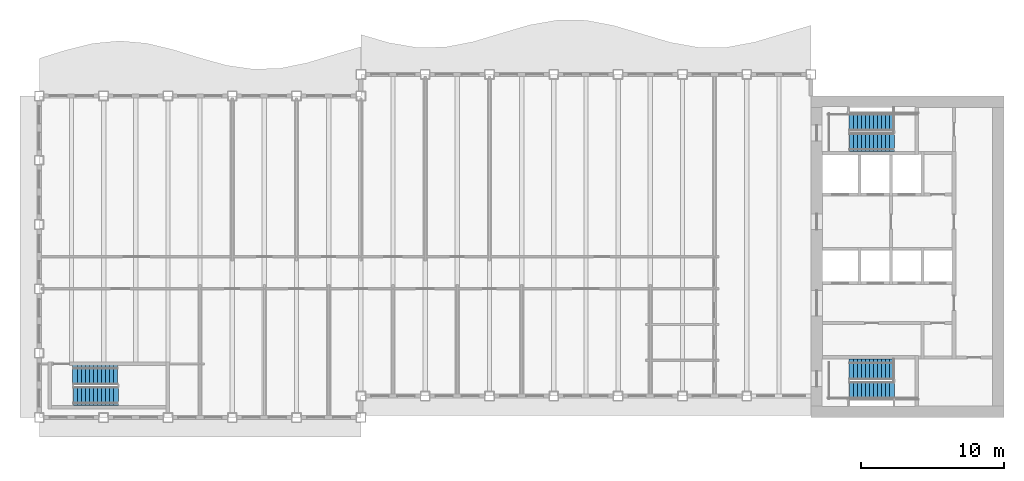
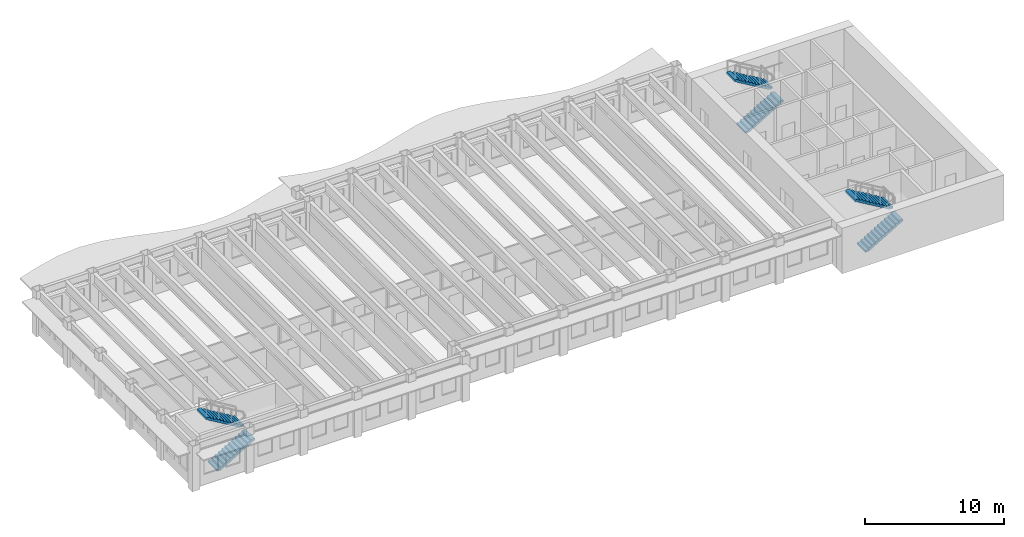
# One storey, part 7 of 12: 6 stair flights, 3 elements without a shape of their own.
"""IFC4 building model written with IfcOpenShell, lengths in metres."""

from ifc_helpers import new_model, si_unit, direction, frame, origin, place, context, subcontext, project, spatial, polyline, outline, extrude, material, type_object, element, aggregate, save


model = new_model("IFC4")

# Units and contexts
model_context = context("Model", 3, precision=1e-05, world=origin(), true_north=direction((0.0, 1.0)))
body_context = subcontext(model_context, "Body", "Model", "MODEL_VIEW")
ifc_project = project(units=[si_unit("LENGTHUNIT", "METRE"), si_unit("AREAUNIT", "SQUARE_METRE"), si_unit("VOLUMEUNIT", "CUBIC_METRE"), si_unit("PLANEANGLEUNIT", "RADIAN"), si_unit("MASSUNIT", "GRAM", prefix="KILO")], contexts=[model_context])

# Site, building, storey
site_placement = place(None, origin())
site = spatial("IfcSite", under=ifc_project, at=site_placement, CompositionType="ELEMENT")
building_placement = place(site_placement, origin())
building = spatial("IfcBuilding", under=site, at=building_placement, Name="Sennacour Bend Tower", CompositionType="ELEMENT")
storey_placement = place(building_placement, frame((0.0, 0.0, 289.0)))
storey = spatial("IfcBuildingStorey", under=building, at=storey_placement, Name="L67", CompositionType="ELEMENT", Elevation=289.0)

# Stair, stair flights
ifc_material = material(Name="Concrete C40/50", Category="concrete")
stair_type = type_object("IfcStairType", Name="ST-DOGLEG", PredefinedType="HALF_TURN_STAIR", material=ifc_material)
stair_1_placement = place(storey_placement, origin())
stair_1 = element("IfcStair", 1, at=stair_1_placement, inside=storey, type_object=stair_type, Name="L67 Exit stair A1", PredefinedType="HALF_TURN_STAIR")
stair_flight_type = type_object("IfcStairFlightType", Name="SFL-RC", PredefinedType="STRAIGHT", material=ifc_material)
stair_flight_1_placement = place(storey_placement, frame((56.699951171875, 1.89990234375, 0.0), z_axis=(0.0, 0.0, 1.0), x_axis=(1.0, 0.0, 0.0)))
stair_flight_1 = element("IfcStairFlight", 2, at=stair_flight_1_placement, type_object=stair_flight_type, Name="SA1 flight 1", NumberOfRisers=12, NumberOfTreads=11, PredefinedType="STRAIGHT", RiserHeight=0.166666667, TreadLength=0.28, context=body_context, shape_type="SweptSolid", body=[
    extrude(outline(polyline([(0.0, 0.0), (0.0, 0.166748046875), (0.280029296875, 0.166748046875), (0.280029296875, 0.333251953125), (0.56005859375, 0.333251953125), (0.56005859375, 0.5), (0.840087890625, 0.5), (0.840087890625, 0.666748046875), (1.1201171875, 0.666748046875), (1.1201171875, 0.833251953125), (1.39990234375, 0.833251953125), (1.39990234375, 1.0), (1.679931640625, 1.0), (1.679931640625, 1.166748046875), (1.9599609375, 1.166748046875), (1.9599609375, 1.333251953125), (2.239990234375, 1.333251953125), (2.239990234375, 1.5), (2.52001953125, 1.5), (2.52001953125, 1.666748046875), (2.800048828125, 1.666748046875), (2.800048828125, 1.833251953125), (3.080078125, 1.833251953125), (3.139892578125, 1.833251953125), (3.139892578125, 1.658935546875), (3.080078125, 1.658935546875), (0.29296875, 0.0), (0.0, 0.0)])), frame((0.0, 0.60009765625, 0.0), z_axis=(0.0, -1.0, 0.0), x_axis=(1.0, 0.0, 0.0)), (0.0, 0.0, 1.0), 1.199951171875),
])
stair_flight_2_placement = place(storey_placement, frame((59.780029296875, 3.37744140625, 2.0), z_axis=(0.0, 0.0, 1.0), x_axis=(-1.0, 0.0, 0.0)))
stair_flight_2 = element("IfcStairFlight", 3, at=stair_flight_2_placement, type_object=stair_flight_type, Name="SA1 flight 2", NumberOfRisers=12, NumberOfTreads=11, PredefinedType="STRAIGHT", RiserHeight=0.166666667, TreadLength=0.28, context=body_context, shape_type="SweptSolid", body=[
    extrude(outline(polyline([(0.0, 0.0), (0.0, 0.166748046875), (0.280029296875, 0.166748046875), (0.280029296875, 0.333251953125), (0.56005859375, 0.333251953125), (0.56005859375, 0.5), (0.840087890625, 0.5), (0.840087890625, 0.666748046875), (1.1201171875, 0.666748046875), (1.1201171875, 0.833251953125), (1.39990234375, 0.833251953125), (1.39990234375, 1.0), (1.679931640625, 1.0), (1.679931640625, 1.166748046875), (1.9599609375, 1.166748046875), (1.9599609375, 1.333251953125), (2.239990234375, 1.333251953125), (2.239990234375, 1.5), (2.52001953125, 1.5), (2.52001953125, 1.666748046875), (2.800048828125, 1.666748046875), (2.800048828125, 1.833251953125), (3.080078125, 1.833251953125), (3.139892578125, 1.833251953125), (3.139892578125, 1.658935546875), (3.080078125, 1.658935546875), (0.29296875, 0.0), (0.0, 0.0)])), frame((0.0, 0.7275390625, 0.0), z_axis=(0.0, -1.0, 0.0), x_axis=(1.0, 0.0, 0.0)), (0.0, 0.0, 1.0), 1.455078125),
])
aggregate(stair_1, [stair_flight_1, stair_flight_2])

stair_2_placement = place(storey_placement, origin())
stair_2 = element("IfcStair", 4, at=stair_2_placement, inside=storey, type_object=stair_type, Name="L67 Exit stair A2", PredefinedType="HALF_TURN_STAIR")
stair_flight_3_placement = place(storey_placement, frame((56.699951171875, 19.24755859375, 0.0), z_axis=(0.0, 0.0, 1.0), x_axis=(1.0, 0.0, 0.0)))
stair_flight_3 = element("IfcStairFlight", 5, at=stair_flight_3_placement, type_object=stair_flight_type, Name="SA2 flight 1", NumberOfRisers=12, NumberOfTreads=11, PredefinedType="STRAIGHT", RiserHeight=0.166666667, TreadLength=0.28, context=body_context, shape_type="SweptSolid", body=[
    extrude(outline(polyline([(0.0, 0.0), (0.0, 0.166748046875), (0.280029296875, 0.166748046875), (0.280029296875, 0.333251953125), (0.56005859375, 0.333251953125), (0.56005859375, 0.5), (0.840087890625, 0.5), (0.840087890625, 0.666748046875), (1.1201171875, 0.666748046875), (1.1201171875, 0.833251953125), (1.39990234375, 0.833251953125), (1.39990234375, 1.0), (1.679931640625, 1.0), (1.679931640625, 1.166748046875), (1.9599609375, 1.166748046875), (1.9599609375, 1.333251953125), (2.239990234375, 1.333251953125), (2.239990234375, 1.5), (2.52001953125, 1.5), (2.52001953125, 1.666748046875), (2.800048828125, 1.666748046875), (2.800048828125, 1.833251953125), (3.080078125, 1.833251953125), (3.139892578125, 1.833251953125), (3.139892578125, 1.658935546875), (3.080078125, 1.658935546875), (0.29296875, 0.0), (0.0, 0.0)])), frame((0.0, 0.65234375, 0.0), z_axis=(0.0, -1.0, 0.0), x_axis=(1.0, 0.0, 0.0)), (0.0, 0.0, 1.0), 1.304931640625),
])
stair_flight_4_placement = place(storey_placement, frame((59.780029296875, 20.64990234375, 2.0), z_axis=(0.0, 0.0, 1.0), x_axis=(-1.0, 0.0, 0.0)))
stair_flight_4 = element("IfcStairFlight", 6, at=stair_flight_4_placement, type_object=stair_flight_type, Name="SA2 flight 2", NumberOfRisers=12, NumberOfTreads=11, PredefinedType="STRAIGHT", RiserHeight=0.166666667, TreadLength=0.28, context=body_context, shape_type="SweptSolid", body=[
    extrude(outline(polyline([(0.0, 0.0), (0.0, 0.166748046875), (0.280029296875, 0.166748046875), (0.280029296875, 0.333251953125), (0.56005859375, 0.333251953125), (0.56005859375, 0.5), (0.840087890625, 0.5), (0.840087890625, 0.666748046875), (1.1201171875, 0.666748046875), (1.1201171875, 0.833251953125), (1.39990234375, 0.833251953125), (1.39990234375, 1.0), (1.679931640625, 1.0), (1.679931640625, 1.166748046875), (1.9599609375, 1.166748046875), (1.9599609375, 1.333251953125), (2.239990234375, 1.333251953125), (2.239990234375, 1.5), (2.52001953125, 1.5), (2.52001953125, 1.666748046875), (2.800048828125, 1.666748046875), (2.800048828125, 1.833251953125), (3.080078125, 1.833251953125), (3.139892578125, 1.833251953125), (3.139892578125, 1.658935546875), (3.080078125, 1.658935546875), (0.29296875, 0.0), (0.0, 0.0)])), frame((0.0, 0.60009765625, 0.0), z_axis=(0.0, -1.0, 0.0), x_axis=(1.0, 0.0, 0.0)), (0.0, 0.0, 1.0), 1.199951171875),
])
aggregate(stair_2, [stair_flight_3, stair_flight_4])

stair_3_placement = place(storey_placement, origin())
stair_3 = element("IfcStair", 7, at=stair_3_placement, inside=storey, type_object=stair_type, Name="L67 Exit stair K1", PredefinedType="HALF_TURN_STAIR")
stair_flight_5_placement = place(storey_placement, frame((2.39990234375, 1.485107421875, 0.0), z_axis=(0.0, 0.0, 1.0), x_axis=(1.0, 0.0, 0.0)))
stair_flight_5 = element("IfcStairFlight", 8, at=stair_flight_5_placement, type_object=stair_flight_type, Name="SK1 flight 1", NumberOfRisers=12, NumberOfTreads=11, PredefinedType="STRAIGHT", RiserHeight=0.166666667, TreadLength=0.28, context=body_context, shape_type="SweptSolid", body=[
    extrude(outline(polyline([(0.0, 0.0), (0.0, 0.166748046875), (0.280029296875, 0.166748046875), (0.280029296875, 0.333251953125), (0.56005859375, 0.333251953125), (0.56005859375, 0.5), (0.840087890625, 0.5), (0.840087890625, 0.666748046875), (1.1201171875, 0.666748046875), (1.1201171875, 0.833251953125), (1.39990234375, 0.833251953125), (1.39990234375, 1.0), (1.679931640625, 1.0), (1.679931640625, 1.166748046875), (1.9599609375, 1.166748046875), (1.9599609375, 1.333251953125), (2.239990234375, 1.333251953125), (2.239990234375, 1.5), (2.52001953125, 1.5), (2.52001953125, 1.666748046875), (2.800048828125, 1.666748046875), (2.800048828125, 1.833251953125), (3.080078125, 1.833251953125), (3.139892578125, 1.833251953125), (3.139892578125, 1.658935546875), (3.080078125, 1.658935546875), (0.29296875, 0.0), (0.0, 0.0)])), frame((0.0, 0.6650390625, 0.0), z_axis=(0.0, -1.0, 0.0), x_axis=(1.0, 0.0, 0.0)), (0.0, 0.0, 1.0), 1.330078125),
])
stair_flight_6_placement = place(storey_placement, frame((5.47998046875, 2.9775390625, 2.0), z_axis=(0.0, 0.0, 1.0), x_axis=(-1.0, 0.0, 0.0)))
stair_flight_6 = element("IfcStairFlight", 9, at=stair_flight_6_placement, type_object=stair_flight_type, Name="SK1 flight 2", NumberOfRisers=12, NumberOfTreads=11, PredefinedType="STRAIGHT", RiserHeight=0.166666667, TreadLength=0.28, context=body_context, shape_type="SweptSolid", body=[
    extrude(outline(polyline([(0.0, 0.0), (0.0, 0.166748046875), (0.280029296875, 0.166748046875), (0.280029296875, 0.333251953125), (0.56005859375, 0.333251953125), (0.56005859375, 0.5), (0.840087890625, 0.5), (0.840087890625, 0.666748046875), (1.1201171875, 0.666748046875), (1.1201171875, 0.833251953125), (1.39990234375, 0.833251953125), (1.39990234375, 1.0), (1.679931640625, 1.0), (1.679931640625, 1.166748046875), (1.9599609375, 1.166748046875), (1.9599609375, 1.333251953125), (2.239990234375, 1.333251953125), (2.239990234375, 1.5), (2.52001953125, 1.5), (2.52001953125, 1.666748046875), (2.800048828125, 1.666748046875), (2.800048828125, 1.833251953125), (3.080078125, 1.833251953125), (3.139892578125, 1.833251953125), (3.139892578125, 1.658935546875), (3.080078125, 1.658935546875), (0.29296875, 0.0), (0.0, 0.0)])), frame((0.0, 0.677490234375, 0.0), z_axis=(0.0, -1.0, 0.0), x_axis=(1.0, 0.0, 0.0)), (0.0, 0.0, 1.0), 1.35498046875),
])
aggregate(stair_3, [stair_flight_5, stair_flight_6])

save(model, "model.ifc")
